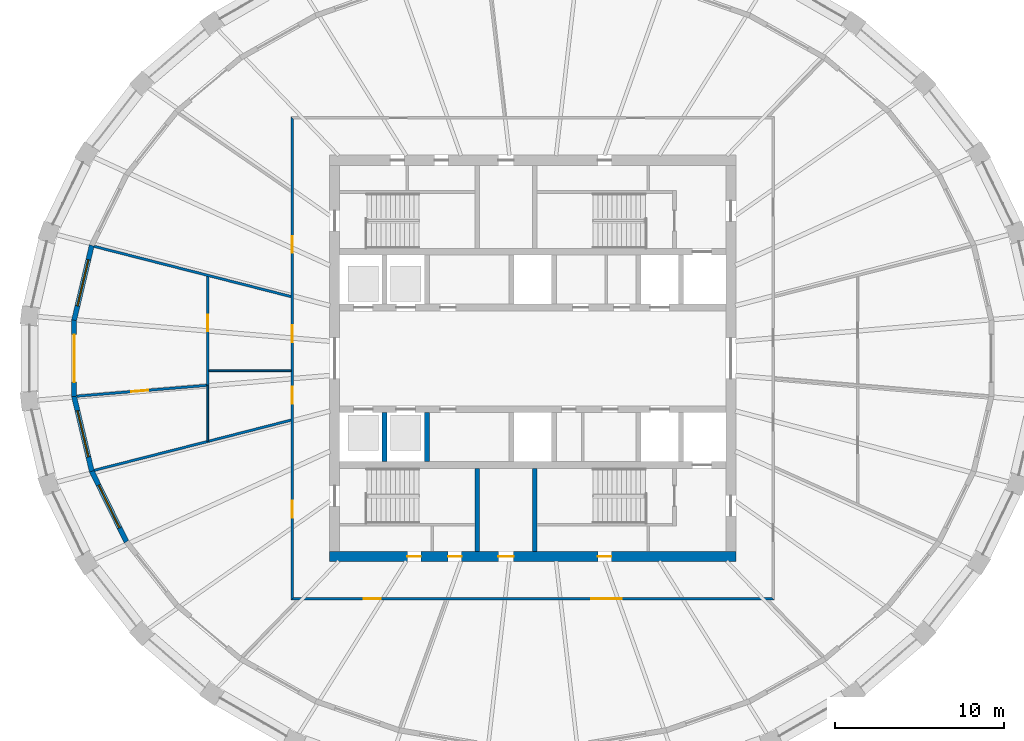
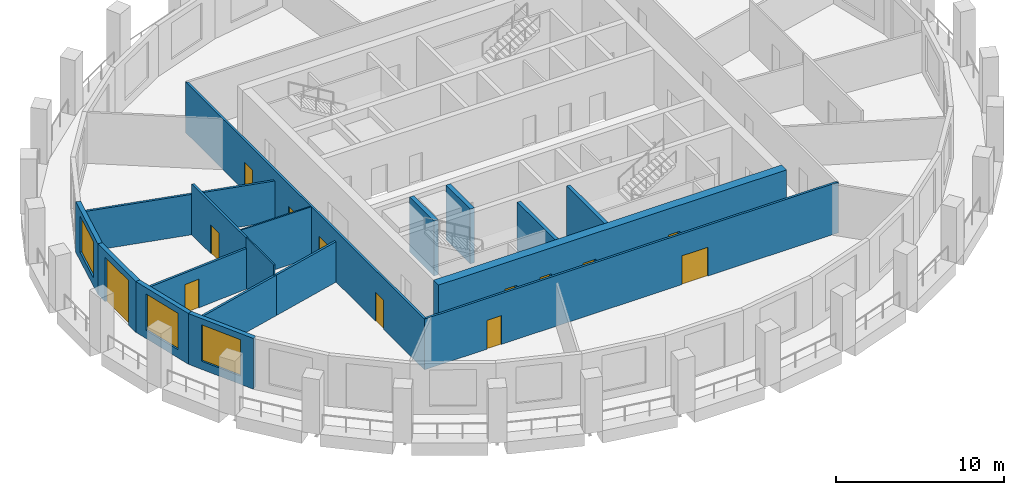
# One storey, part 3 of 10: 18 walls, 13 doors, 3 windows, 16 openings.
"""IFC4 building model written with IfcOpenShell, lengths in metres."""

from ifc_helpers import new_model, si_unit, direction, frame, frame_2d, origin, place, context, subcontext, project, spatial, polyline, rectangle, outline, extrude, material, layer, layer_set, type_object, element, fill, save


model = new_model("IFC4")

# Units and contexts
model_context = context("Model", 3, precision=1e-05, world=origin(), true_north=direction((0.0, 1.0)))
body_context = subcontext(model_context, "Body", "Model", "MODEL_VIEW")
ifc_project = project(units=[si_unit("LENGTHUNIT", "METRE"), si_unit("AREAUNIT", "SQUARE_METRE"), si_unit("VOLUMEUNIT", "CUBIC_METRE"), si_unit("PLANEANGLEUNIT", "RADIAN"), si_unit("MASSUNIT", "GRAM", prefix="KILO")], contexts=[model_context])

# Site, building, storey
site_placement = place(None, origin())
site = spatial("IfcSite", under=ifc_project, at=site_placement, CompositionType="ELEMENT")
building_placement = place(site_placement, origin())
building = spatial("IfcBuilding", under=site, at=building_placement, Name="Halqa Exchange Tower", CompositionType="ELEMENT")
storey_placement = place(building_placement, frame((0.0, 0.0, 272.300048828125)))
storey = spatial("IfcBuildingStorey", under=building, at=storey_placement, Name="L63", CompositionType="ELEMENT", Elevation=272.300048828125)

# Wall, opening, door
ifc_material_1 = material(Name="Gypsum board")
ifc_layer_1 = layer(ifc_material_1, 0.14990234375)
ifc_layer_set_1 = layer_set([ifc_layer_1], Name="Gypsum board")
wall_type_1 = type_object("IfcWallType", Name="Acoustic partition 150", PredefinedType="PARTITIONING", material=ifc_layer_set_1)
wall_1_placement = place(storey_placement, frame((-19.25634765625, -1.5947265625, 0.0), z_axis=(0.0, 0.0, 1.0), x_axis=(-0.996545321007, -0.083050726542, 0.0)))
wall_1 = element("IfcWall", 1, at=wall_1_placement, inside=storey, type_object=wall_type_1, Name="L63-PWL-005", PredefinedType="PARTITIONING", context=body_context, shape_type="SweptSolid", body=[
    extrude(outline(polyline([(7.701904296875, -0.074951171875), (7.701904296875, 0.043212890625), (7.697265625, 0.074951171875), (5.77294921875, 0.074951171875), (3.8486328125, 0.074951171875), (1.92431640625, 0.074951171875), (0.0, 0.074951171875), (0.0, -0.004638671875), (0.018310546875, -0.00634765625), (0.012451171875, -0.074951171875), (1.934814453125, -0.074951171875), (3.857177734375, -0.074951171875), (5.779541015625, -0.074951171875), (7.701904296875, -0.074951171875)])), origin(), (0.0, 0.0, 1.0), 2.947021484375),
])
opening_1_placement = place(wall_1_placement, frame((3.477294921875, 0.0, 0.0)))
opening_1 = element("IfcOpeningElement", 2, at=opening_1_placement, cuts=wall_1, Name="Opening 19-14", PredefinedType="OPENING", context=body_context, shape_type="SweptSolid", body=[
    extrude(rectangle(XDim=1.0, YDim=2.10009765625, at=frame_2d((0.5, 1.050048828125))), frame((0.0, 0.0869140625, 0.0), z_axis=(0.0, -1.0, 0.0), x_axis=(1.0, 0.0, 0.0)), (0.0, 0.0, 1.0), 0.173828125),
])
ifc_material_2 = material(Name="Timber door leaf", Category="wood")
door_type_1 = type_object("IfcDoorType", Name="Acoustic door 1000 x 2100", OperationType="SINGLE_SWING_LEFT", PredefinedType="DOOR", material=ifc_material_2)
door_1_placement = place(opening_1_placement, origin())
door_1 = element("IfcDoor", 3, at=door_1_placement, inside=storey, type_object=door_type_1, Name="L63-IDR-014", OperationType="SINGLE_SWING_LEFT", OverallHeight=2.10009765625, OverallWidth=1.0, PredefinedType="DOOR", context=body_context, shape_type="SweptSolid", body=[
    extrude(rectangle(XDim=1.0, YDim=2.10009765625, at=frame_2d((0.5, 1.050048828125))), frame((0.0, 0.02490234375, 0.0), z_axis=(0.0, -1.0, 0.0), x_axis=(1.0, 0.0, 0.0)), (0.0, 0.0, 1.0), 0.050048828125),
])
fill(opening_1, door_1)

wall_2_placement = place(storey_placement, frame((-19.199951171875, -1.590087890625, 0.0), z_axis=(0.0, 0.0, 1.0), x_axis=(0.0, 1.0, 0.0)))
wall_2 = element("IfcWall", 4, at=wall_2_placement, inside=storey, type_object=wall_type_1, Name="L63-PWL-006", PredefinedType="PARTITIONING", context=body_context, shape_type="SweptSolid", body=[
    extrude(outline(polyline([(0.0, -0.074951171875), (0.81005859375, -0.074951171875), (0.91015625, -0.074951171875), (2.739501953125, -0.074951171875), (4.569091796875, -0.074951171875), (6.398681640625, -0.074951171875), (6.4365234375, 0.07373046875), (6.4365234375, 0.074951171875), (4.8447265625, 0.074951171875), (3.252685546875, 0.074951171875), (1.660888671875, 0.074951171875), (0.069091796875, 0.074951171875), (0.070068359375, 0.0625), (0.0, 0.056640625), (0.0, 0.050048828125), (0.0, 0.050048828125), (0.0, -0.050048828125), (0.0, -0.050048828125), (0.0, -0.074951171875)])), origin(), (0.0, 0.0, 1.0), 3.699951171875),
])
opening_2_placement = place(wall_2_placement, frame((3.179931640625, 0.0, 0.0)))
opening_2 = element("IfcOpeningElement", 5, at=opening_2_placement, cuts=wall_2, Name="Opening 19-13", PredefinedType="OPENING", context=body_context, shape_type="SweptSolid", body=[
    extrude(rectangle(XDim=1.0, YDim=2.10009765625, at=frame_2d((0.5, 1.050048828125))), frame((0.0, 0.0869140625, 0.0), z_axis=(0.0, -1.0, 0.0), x_axis=(1.0, 0.0, 0.0)), (0.0, 0.0, 1.0), 0.173828125),
])
door_2_placement = place(opening_2_placement, frame((1.0, 0.0, 0.0), z_axis=(0.0, 0.0, 1.0), x_axis=(-1.0, 0.0, 0.0)))
door_2 = element("IfcDoor", 6, at=door_2_placement, inside=storey, type_object=door_type_1, Name="L63-IDR-013", OperationType="SINGLE_SWING_RIGHT", OverallHeight=2.10009765625, OverallWidth=1.0, PredefinedType="DOOR", context=body_context, shape_type="SweptSolid", body=[
    extrude(rectangle(XDim=1.0, YDim=2.10009765625, at=frame_2d((0.5, 1.050048828125))), frame((0.0, 0.02490234375, 0.0), z_axis=(0.0, -1.0, 0.0), x_axis=(1.0, 0.0, 0.0)), (0.0, 0.0, 1.0), 0.050048828125),
])
fill(opening_2, door_2)

# Walls
ifc_material_3 = material(Name="Fire-rated gypsum board")
ifc_layer_2 = layer(ifc_material_3, 0.14990234375)
ifc_layer_set_2 = layer_set([ifc_layer_2], Name="Fire-rated gypsum board")
wall_type_2 = type_object("IfcWallType", Name="Fire partition EI 60 150", PredefinedType="PARTITIONING", material=ifc_layer_set_2)
wall_3_placement = place(storey_placement, frame((-25.90234375, -6.6142578125, 0.0), z_axis=(0.0, 0.0, 1.0), x_axis=(0.969153959709, 0.246456086108, 0.0)))
element("IfcWall", 7, at=wall_3_placement, inside=storey, type_object=wall_type_2, Name="L63-PWL-001", PredefinedType="PARTITIONING", context=body_context, shape_type="SweptSolid", body=[
    extrude(outline(polyline([(0.01318359375, -0.074951171875), (1.75634765625, -0.074951171875), (3.49951171875, -0.074951171875), (5.24267578125, -0.074951171875), (6.98583984375, -0.074951171875), (6.985595703125, 0.07177734375), (6.966552734375, -0.002685546875), (6.86962890625, 0.02197265625), (6.883056640625, 0.074951171875), (5.162353515625, 0.074951171875), (3.441650390625, 0.074951171875), (1.720703125, 0.074951171875), (0.0, 0.074951171875), (0.0, -0.011962890625), (0.01318359375, -0.074951171875)])), origin(), (0.0, 0.0, 1.0), 2.947021484375),
])
wall_4_placement = place(storey_placement, frame((-25.90234375, 6.6142578125, 0.0), z_axis=(0.0, 0.0, 1.0), x_axis=(0.968990601513, -0.247097580277, 0.0)))
element("IfcWall", 8, at=wall_4_placement, inside=storey, type_object=wall_type_2, Name="L63-PWL-002", PredefinedType="PARTITIONING", context=body_context, shape_type="SweptSolid", body=[
    extrude(outline(polyline([(0.0, -0.074951171875), (1.751953125, -0.074951171875), (3.50390625, -0.074951171875), (5.255859375, -0.074951171875), (7.0078125, -0.074951171875), (7.012939453125, -0.07373046875), (7.013427734375, -0.074951171875), (8.681640625, -0.074951171875), (10.35009765625, -0.074951171875), (12.0185546875, -0.074951171875), (11.980224609375, 0.074951171875), (9.98583984375, 0.074951171875), (7.9912109375, 0.074951171875), (5.996826171875, 0.074951171875), (4.002197265625, 0.074951171875), (2.0078125, 0.074951171875), (0.01318359375, 0.074951171875), (0.0, 0.011962890625), (0.0, -0.074951171875)])), origin(), (0.0, 0.0, 1.0), 2.947021484375),
])
wall_5_placement = place(storey_placement, frame((-19.132080078125, -4.892578125, 0.0), z_axis=(0.0, 0.0, 1.0), x_axis=(0.968763144659, 0.247987841537, 0.0)))
element("IfcWall", 9, at=wall_5_placement, inside=storey, type_object=wall_type_2, Name="L63-PWL-003", PredefinedType="PARTITIONING", context=body_context, shape_type="SweptSolid", body=[
    extrude(outline(polyline([(0.0, -0.074951171875), (1.664794921875, -0.074951171875), (3.32958984375, -0.074951171875), (4.994384765625, -0.074951171875), (5.03271484375, 0.07421875), (5.03271484375, 0.074951171875), (3.35546875, 0.074951171875), (1.677978515625, 0.074951171875), (0.000732421875, 0.074951171875), (0.0, 0.072265625), (0.0, -0.074951171875)])), origin(), (0.0, 0.0, 1.0), 2.947021484375),
])

# Wall, openings, doors
wall_6_placement = place(storey_placement, frame((-14.199951171875, -14.27490234375, 0.0), z_axis=(0.0, 0.0, 1.0), x_axis=(0.0, 1.0, 0.0)))
wall_6 = element("IfcWall", 10, at=wall_6_placement, inside=storey, type_object=wall_type_2, Name="L63-PWL-008", PredefinedType="PARTITIONING", context=body_context, shape_type="SweptSolid", body=[
    extrude(outline(polyline([(0.14990234375, -0.074951171875), (2.033203125, -0.074951171875), (3.91650390625, -0.074951171875), (5.7998046875, -0.074951171875), (7.683349609375, -0.074951171875), (9.566650390625, -0.074951171875), (11.449951171875, -0.074951171875), (13.333251953125, -0.074951171875), (15.216552734375, -0.074951171875), (17.099853515625, -0.074951171875), (18.983154296875, -0.074951171875), (20.866455078125, -0.074951171875), (22.75, -0.074951171875), (24.63330078125, -0.074951171875), (26.5166015625, -0.074951171875), (28.39990234375, -0.074951171875), (28.5498046875, 0.074951171875), (28.5498046875, 0.074951171875), (26.646484375, 0.074951171875), (24.7431640625, 0.074951171875), (22.83984375, 0.074951171875), (20.9365234375, 0.074951171875), (19.033203125, 0.074951171875), (17.1298828125, 0.074951171875), (15.2265625, 0.074951171875), (13.3232421875, 0.074951171875), (11.419921875, 0.074951171875), (9.5166015625, 0.074951171875), (7.61328125, 0.074951171875), (5.7099609375, 0.074951171875), (3.806640625, 0.074951171875), (1.9033203125, 0.074951171875), (0.0, 0.074951171875), (0.14990234375, -0.074951171875)])), origin(), (0.0, 0.0, 1.0), 3.699951171875),
])
opening_3_placement = place(wall_6_placement, frame((20.5, 0.0, 0.0)))
opening_3 = element("IfcOpeningElement", 11, at=opening_3_placement, cuts=wall_6, Name="Opening 19-02", PredefinedType="OPENING", context=body_context, shape_type="SweptSolid", body=[
    extrude(rectangle(XDim=1.0, YDim=2.10009765625, at=frame_2d((0.5, 1.050048828125))), frame((0.0, 0.0869140625, 0.0), z_axis=(0.0, -1.0, 0.0), x_axis=(1.0, 0.0, 0.0)), (0.0, 0.0, 1.0), 0.173828125),
])
opening_4_placement = place(wall_6_placement, frame((11.594970703125, 0.0, 0.0)))
opening_4 = element("IfcOpeningElement", 12, at=opening_4_placement, cuts=wall_6, Name="Opening 19-03", PredefinedType="OPENING", context=body_context, shape_type="SweptSolid", body=[
    extrude(rectangle(XDim=1.0, YDim=2.10009765625, at=frame_2d((0.5, 1.050048828125))), frame((0.0, 0.0869140625, 0.0), z_axis=(0.0, -1.0, 0.0), x_axis=(1.0, 0.0, 0.0)), (0.0, 0.0, 1.0), 0.173828125),
])
opening_5_placement = place(wall_6_placement, frame((15.22509765625, 0.0, 0.0)))
opening_5 = element("IfcOpeningElement", 13, at=opening_5_placement, cuts=wall_6, Name="Opening 19-04", PredefinedType="OPENING", context=body_context, shape_type="SweptSolid", body=[
    extrude(rectangle(XDim=1.0, YDim=2.10009765625, at=frame_2d((0.5, 1.050048828125))), frame((0.0, 0.0869140625, 0.0), z_axis=(0.0, -1.0, 0.0), x_axis=(1.0, 0.0, 0.0)), (0.0, 0.0, 1.0), 0.173828125),
])
opening_6_placement = place(wall_6_placement, frame((4.860107421875, 0.0, 0.0)))
opening_6 = element("IfcOpeningElement", 14, at=opening_6_placement, cuts=wall_6, Name="Opening 19-05", PredefinedType="OPENING", context=body_context, shape_type="SweptSolid", body=[
    extrude(rectangle(XDim=1.0, YDim=2.10009765625, at=frame_2d((0.5, 1.050048828125))), frame((0.0, 0.0869140625, 0.0), z_axis=(0.0, -1.0, 0.0), x_axis=(1.0, 0.0, 0.0)), (0.0, 0.0, 1.0), 0.173828125),
])
ifc_material_4 = material(Name="Steel fire door leaf", Category="steel")
door_type_2 = type_object("IfcDoorType", Name="Fire door FD30S 1000 x 2100", OperationType="SINGLE_SWING_LEFT", PredefinedType="DOOR", material=ifc_material_4)
door_3_placement = place(opening_3_placement, origin())
door_3 = element("IfcDoor", 15, at=door_3_placement, inside=storey, type_object=door_type_2, Name="L63-IDR-002", OperationType="SINGLE_SWING_RIGHT", OverallHeight=2.10009765625, OverallWidth=1.0, PredefinedType="DOOR", context=body_context, shape_type="SweptSolid", body=[
    extrude(rectangle(XDim=1.0, YDim=2.10009765625, at=frame_2d((0.5, 1.050048828125))), frame((0.0, 0.02490234375, 0.0), z_axis=(0.0, -1.0, 0.0), x_axis=(1.0, 0.0, 0.0)), (0.0, 0.0, 1.0), 0.050048828125),
])
fill(opening_3, door_3)
door_4_placement = place(opening_4_placement, origin())
door_4 = element("IfcDoor", 16, at=door_4_placement, inside=storey, type_object=door_type_2, Name="L63-IDR-003", OperationType="SINGLE_SWING_RIGHT", OverallHeight=2.10009765625, OverallWidth=1.0, PredefinedType="DOOR", context=body_context, shape_type="SweptSolid", body=[
    extrude(rectangle(XDim=1.0, YDim=2.10009765625, at=frame_2d((0.5, 1.050048828125))), frame((0.0, 0.02490234375, 0.0), z_axis=(0.0, -1.0, 0.0), x_axis=(1.0, 0.0, 0.0)), (0.0, 0.0, 1.0), 0.050048828125),
])
fill(opening_4, door_4)
door_5_placement = place(opening_5_placement, origin())
door_5 = element("IfcDoor", 17, at=door_5_placement, inside=storey, type_object=door_type_2, Name="L63-IDR-004", OperationType="SINGLE_SWING_LEFT", OverallHeight=2.10009765625, OverallWidth=1.0, PredefinedType="DOOR", context=body_context, shape_type="SweptSolid", body=[
    extrude(rectangle(XDim=1.0, YDim=2.10009765625, at=frame_2d((0.5, 1.050048828125))), frame((0.0, 0.02490234375, 0.0), z_axis=(0.0, -1.0, 0.0), x_axis=(1.0, 0.0, 0.0)), (0.0, 0.0, 1.0), 0.050048828125),
])
fill(opening_5, door_5)
door_6_placement = place(opening_6_placement, origin())
door_6 = element("IfcDoor", 18, at=door_6_placement, inside=storey, type_object=door_type_2, Name="L63-IDR-005", OperationType="SINGLE_SWING_LEFT", OverallHeight=2.10009765625, OverallWidth=1.0, PredefinedType="DOOR", context=body_context, shape_type="SweptSolid", body=[
    extrude(rectangle(XDim=1.0, YDim=2.10009765625, at=frame_2d((0.5, 1.050048828125))), frame((0.0, 0.02490234375, 0.0), z_axis=(0.0, -1.0, 0.0), x_axis=(1.0, 0.0, 0.0)), (0.0, 0.0, 1.0), 0.050048828125),
])
fill(opening_6, door_6)

wall_7_placement = place(storey_placement, frame((-14.27490234375, -14.199951171875, 0.0), z_axis=(0.0, 0.0, 1.0), x_axis=(1.0, 0.0, 0.0)))
wall_7 = element("IfcWall", 19, at=wall_7_placement, inside=storey, type_object=wall_type_2, Name="L63-PWL-009", PredefinedType="PARTITIONING", context=body_context, shape_type="SweptSolid", body=[
    extrude(outline(polyline([(28.5498046875, -0.074951171875), (28.5498046875, -0.074951171875), (28.39990234375, 0.074951171875), (26.5166015625, 0.074951171875), (24.63330078125, 0.074951171875), (22.75, 0.074951171875), (20.866455078125, 0.074951171875), (18.983154296875, 0.074951171875), (17.099853515625, 0.074951171875), (15.216552734375, 0.074951171875), (13.333251953125, 0.074951171875), (11.449951171875, 0.074951171875), (9.566650390625, 0.074951171875), (7.683349609375, 0.074951171875), (5.7998046875, 0.074951171875), (3.91650390625, 0.074951171875), (2.033203125, 0.074951171875), (0.14990234375, 0.074951171875), (0.0, -0.074951171875), (1.9033203125, -0.074951171875), (3.806640625, -0.074951171875), (5.7099609375, -0.074951171875), (7.61328125, -0.074951171875), (9.5166015625, -0.074951171875), (11.419921875, -0.074951171875), (13.3232421875, -0.074951171875), (15.2265625, -0.074951171875), (17.1298828125, -0.074951171875), (19.033203125, -0.074951171875), (20.9365234375, -0.074951171875), (22.83984375, -0.074951171875), (24.7431640625, -0.074951171875), (26.646484375, -0.074951171875), (28.5498046875, -0.074951171875)])), origin(), (0.0, 0.0, 1.0), 3.699951171875),
])
opening_7_placement = place(wall_7_placement, frame((4.304931640625, 0.0, 0.0)))
opening_7 = element("IfcOpeningElement", 20, at=opening_7_placement, cuts=wall_7, Name="Opening 19-06", PredefinedType="OPENING", context=body_context, shape_type="SweptSolid", body=[
    extrude(rectangle(XDim=1.0, YDim=2.10009765625, at=frame_2d((0.5, 1.050048828125))), frame((0.0, 0.0869140625, 0.0), z_axis=(0.0, -1.0, 0.0), x_axis=(1.0, 0.0, 0.0)), (0.0, 0.0, 1.0), 0.173828125),
])
opening_8_placement = place(wall_7_placement, frame((17.735107421875, 0.0, 0.0)))
opening_8 = element("IfcOpeningElement", 21, at=opening_8_placement, cuts=wall_7, Name="Opening 19-07", PredefinedType="OPENING", context=body_context, shape_type="SweptSolid", body=[
    extrude(rectangle(XDim=1.800048828125, YDim=2.10009765625, at=frame_2d((0.89990234375, 1.050048828125))), frame((0.0, 0.0869140625, 0.0), z_axis=(0.0, -1.0, 0.0), x_axis=(1.0, 0.0, 0.0)), (0.0, 0.0, 1.0), 0.173828125),
])
door_7_placement = place(opening_7_placement, frame((1.0, 0.0, 0.0), z_axis=(0.0, 0.0, 1.0), x_axis=(-1.0, 0.0, 0.0)))
door_7 = element("IfcDoor", 22, at=door_7_placement, inside=storey, type_object=door_type_2, Name="L63-IDR-006", OperationType="SINGLE_SWING_RIGHT", OverallHeight=2.10009765625, OverallWidth=1.0, PredefinedType="DOOR", context=body_context, shape_type="SweptSolid", body=[
    extrude(rectangle(XDim=1.0, YDim=2.10009765625, at=frame_2d((0.5, 1.050048828125))), frame((0.0, 0.02490234375, 0.0), z_axis=(0.0, -1.0, 0.0), x_axis=(1.0, 0.0, 0.0)), (0.0, 0.0, 1.0), 0.050048828125),
])
fill(opening_7, door_7)
door_type_3 = type_object("IfcDoorType", Name="Fire door FD30S double 1800 x 2100", OperationType="DOUBLE_DOOR_SINGLE_SWING", PredefinedType="DOOR", material=ifc_material_4)
door_8_placement = place(opening_8_placement, frame((1.800048828125, 0.0, 0.0), z_axis=(0.0, 0.0, 1.0), x_axis=(-1.0, 0.0, 0.0)))
door_8 = element("IfcDoor", 23, at=door_8_placement, inside=storey, type_object=door_type_3, Name="L63-IDR-007", OperationType="DOUBLE_DOOR_SINGLE_SWING", OverallHeight=2.10009765625, OverallWidth=1.800048828125, PredefinedType="DOOR", context=body_context, shape_type="SweptSolid", body=[
    extrude(rectangle(XDim=1.800048828125, YDim=2.10009765625, at=frame_2d((0.89990234375, 1.050048828125))), frame((0.0, 0.02490234375, 0.0), z_axis=(0.0, -1.0, 0.0), x_axis=(1.0, 0.0, 0.0)), (0.0, 0.0, 1.0), 0.050048828125),
])
fill(opening_8, door_8)

# Walls
ifc_layer_3 = layer(ifc_material_1, 0.10009765625)
ifc_layer_set_3 = layer_set([ifc_layer_3], Name="Gypsum board")
wall_type_3 = type_object("IfcWallType", Name="Partition 100 gypsum", PredefinedType="PARTITIONING", material=ifc_layer_set_3)
wall_8_placement = place(storey_placement, frame((-19.199951171875, -4.89990234375, 0.0), z_axis=(0.0, 0.0, 1.0), x_axis=(0.0, 1.0, 0.0)))
element("IfcWall", 24, at=wall_8_placement, inside=storey, type_object=wall_type_3, Name="L63-PWL-004", PredefinedType="PARTITIONING", context=body_context, shape_type="SweptSolid", body=[
    extrude(rectangle(XDim=3.309814453125, YDim=0.10009765625, at=frame_2d((1.65478515625, 0.0))), origin(), (0.0, 0.0, 1.0), 3.699951171875),
])
wall_9_placement = place(storey_placement, frame((-19.125, -0.72998046875, 0.0), z_axis=(0.0, 0.0, 1.0), x_axis=(1.0, 0.0, 0.0)))
element("IfcWall", 25, at=wall_9_placement, inside=storey, type_object=wall_type_3, Name="L63-PWL-007", PredefinedType="PARTITIONING", context=body_context, shape_type="SweptSolid", body=[
    extrude(rectangle(XDim=4.85009765625, YDim=0.10009765625, at=frame_2d((2.425048828125, 0.0))), origin(), (0.0, 0.0, 1.0), 3.699951171875),
])
ifc_material_5 = material(Name="Concrete C60/75", Category="concrete")
ifc_layer_4 = layer(ifc_material_5, 0.300048828125)
ifc_layer_set_4 = layer_set([ifc_layer_4], Name="Concrete C60/75")
wall_type_4 = type_object("IfcWallType", Name="RC core wall 300", PredefinedType="SHEAR", material=ifc_layer_set_4)
for number, where, z_axis, x_axis, name in (
    (26, (-8.75, -6.10009765625, 0.0), (0.0, 0.0, 1.0), (0.0, 1.0, 0.0), "Shaft divider S1"),
    (27, (-6.25, -6.10009765625, 0.0), (0.0, 0.0, 1.0), (0.0, 1.0, 0.0), "Shaft divider S2"),
):
    element("IfcWall", number, at=place(storey_placement, frame(where, z_axis=z_axis, x_axis=x_axis)), inside=storey, type_object=wall_type_4, Name=name, PredefinedType="SHEAR", context=body_context, shape_type="SweptSolid", body=[
        extrude(rectangle(XDim=2.900146484375, YDim=0.300048828125, at=frame_2d((1.4501953125, 0.0))), origin(), (0.0, 0.0, 1.0), 4.0),
    ])

# Wall, openings, doors
ifc_layer_5 = layer(ifc_material_5, 0.60009765625)
ifc_layer_set_5 = layer_set([ifc_layer_5], Name="Concrete C60/75")
wall_type_5 = type_object("IfcWallType", Name="RC core wall 600 C60/75", PredefinedType="SHEAR", material=ifc_layer_set_5)
wall_10_placement = place(storey_placement, frame((-12.0, -11.699951171875, 0.0), z_axis=(0.0, 0.0, 1.0), x_axis=(1.0, 0.0, 0.0)))
wall_10 = element("IfcWall", 28, at=wall_10_placement, inside=storey, type_object=wall_type_5, Name="Core wall south", PredefinedType="SHEAR", context=body_context, shape_type="SweptSolid", body=[
    extrude(rectangle(XDim=24.0, YDim=0.60009765625, at=frame_2d((12.0, 0.0))), origin(), (0.0, 0.0, 1.0), 4.0),
])
opening_9_placement = place(wall_10_placement, frame((9.97509765625, 0.0, 0.0)))
opening_9 = element("IfcOpeningElement", 29, at=opening_9_placement, cuts=wall_10, Name="Opening T19-C21", PredefinedType="OPENING", context=body_context, shape_type="SweptSolid", body=[
    extrude(rectangle(XDim=0.89990234375, YDim=2.10009765625, at=frame_2d((0.449951171875, 1.050048828125))), frame((0.0, 0.31201171875, 0.0), z_axis=(0.0, -1.0, 0.0), x_axis=(1.0, 0.0, 0.0)), (0.0, 0.0, 1.0), 0.6240234375),
])
opening_10_placement = place(wall_10_placement, frame((4.60009765625, 0.0, 0.0)))
opening_10 = element("IfcOpeningElement", 30, at=opening_10_placement, cuts=wall_10, Name="Opening T19-C22", PredefinedType="OPENING", context=body_context, shape_type="SweptSolid", body=[
    extrude(rectangle(XDim=0.800048828125, YDim=2.10009765625, at=frame_2d((0.39990234375, 1.050048828125))), frame((0.0, 0.31201171875, 0.0), z_axis=(0.0, -1.0, 0.0), x_axis=(1.0, 0.0, 0.0)), (0.0, 0.0, 1.0), 0.6240234375),
])
opening_11_placement = place(wall_10_placement, frame((7.0, 0.0, 0.0)))
opening_11 = element("IfcOpeningElement", 31, at=opening_11_placement, cuts=wall_10, Name="Opening T19-C23", PredefinedType="OPENING", context=body_context, shape_type="SweptSolid", body=[
    extrude(rectangle(XDim=0.800048828125, YDim=2.10009765625, at=frame_2d((0.39990234375, 1.050048828125))), frame((0.0, 0.31201171875, 0.0), z_axis=(0.0, -1.0, 0.0), x_axis=(1.0, 0.0, 0.0)), (0.0, 0.0, 1.0), 0.6240234375),
])
opening_12_placement = place(wall_10_placement, frame((15.85009765625, 0.0, 0.0)))
opening_12 = element("IfcOpeningElement", 32, at=opening_12_placement, cuts=wall_10, Name="Opening T19-C24", PredefinedType="OPENING", context=body_context, shape_type="SweptSolid", body=[
    extrude(rectangle(XDim=0.800048828125, YDim=2.10009765625, at=frame_2d((0.39990234375, 1.050048828125))), frame((0.0, 0.31201171875, 0.0), z_axis=(0.0, -1.0, 0.0), x_axis=(1.0, 0.0, 0.0)), (0.0, 0.0, 1.0), 0.6240234375),
])
ifc_material_6 = material(Name="Timber fire door leaf", Category="wood")
door_type_4 = type_object("IfcDoorType", Name="Core room door FD30 900 x 2100", OperationType="SINGLE_SWING_LEFT", PredefinedType="DOOR", material=ifc_material_6)
door_9_placement = place(opening_9_placement, origin())
door_9 = element("IfcDoor", 33, at=door_9_placement, inside=storey, type_object=door_type_4, Name="Core room door", OperationType="SINGLE_SWING_RIGHT", OverallHeight=2.10009765625, OverallWidth=0.89990234375, PredefinedType="DOOR", context=body_context, shape_type="SweptSolid", body=[
    extrude(rectangle(XDim=0.89990234375, YDim=2.10009765625, at=frame_2d((0.449951171875, 1.050048828125))), frame((0.0, 0.02490234375, 0.0), z_axis=(0.0, -1.0, 0.0), x_axis=(1.0, 0.0, 0.0)), (0.0, 0.0, 1.0), 0.050048828125),
])
fill(opening_9, door_9)
door_type_5 = type_object("IfcDoorType", Name="Riser door FD60 800 x 2100", OperationType="SINGLE_SWING_LEFT", PredefinedType="DOOR", material=ifc_material_4)
door_10_placement = place(opening_10_placement, origin())
door_10 = element("IfcDoor", 34, at=door_10_placement, inside=storey, type_object=door_type_5, Name="Core room door", OperationType="SINGLE_SWING_LEFT", OverallHeight=2.10009765625, OverallWidth=0.800048828125, PredefinedType="DOOR", context=body_context, shape_type="SweptSolid", body=[
    extrude(rectangle(XDim=0.800048828125, YDim=2.10009765625, at=frame_2d((0.39990234375, 1.050048828125))), frame((0.0, 0.02490234375, 0.0), z_axis=(0.0, -1.0, 0.0), x_axis=(1.0, 0.0, 0.0)), (0.0, 0.0, 1.0), 0.050048828125),
])
fill(opening_10, door_10)
door_11_placement = place(opening_11_placement, origin())
door_11 = element("IfcDoor", 35, at=door_11_placement, inside=storey, type_object=door_type_5, Name="Core room door", OperationType="SINGLE_SWING_RIGHT", OverallHeight=2.10009765625, OverallWidth=0.800048828125, PredefinedType="DOOR", context=body_context, shape_type="SweptSolid", body=[
    extrude(rectangle(XDim=0.800048828125, YDim=2.10009765625, at=frame_2d((0.39990234375, 1.050048828125))), frame((0.0, 0.02490234375, 0.0), z_axis=(0.0, -1.0, 0.0), x_axis=(1.0, 0.0, 0.0)), (0.0, 0.0, 1.0), 0.050048828125),
])
fill(opening_11, door_11)
door_12_placement = place(opening_12_placement, origin())
door_12 = element("IfcDoor", 36, at=door_12_placement, inside=storey, type_object=door_type_5, Name="Core room door", OperationType="SINGLE_SWING_LEFT", OverallHeight=2.10009765625, OverallWidth=0.800048828125, PredefinedType="DOOR", context=body_context, shape_type="SweptSolid", body=[
    extrude(rectangle(XDim=0.800048828125, YDim=2.10009765625, at=frame_2d((0.39990234375, 1.050048828125))), frame((0.0, 0.02490234375, 0.0), z_axis=(0.0, -1.0, 0.0), x_axis=(1.0, 0.0, 0.0)), (0.0, 0.0, 1.0), 0.050048828125),
])
fill(opening_12, door_12)

# Walls
ifc_material_7 = material(Name="Concrete C30/37", Category="concrete")
ifc_layer_6 = layer(ifc_material_7, 0.25)
ifc_layer_set_6 = layer_set([ifc_layer_6], Name="Concrete C30/37")
wall_type_6 = type_object("IfcWallType", Name="RC stair wall 250 C30/37", PredefinedType="SHEAR", material=ifc_layer_set_6)
for number, where, z_axis, x_axis, name in (
    (37, (-3.27490234375, -11.39990234375, 0.0), (0.0, 0.0, 1.0), (0.0, 1.0, 0.0), "Stair ST1 east wall S"),
    (38, (0.125, -11.39990234375, 0.0), (0.0, 0.0, 1.0), (0.0, 1.0, 0.0), "Stair ST2 west wall S"),
):
    element("IfcWall", number, at=place(storey_placement, frame(where, z_axis=z_axis, x_axis=x_axis)), inside=storey, type_object=wall_type_6, Name=name, PredefinedType="SHEAR", context=body_context, shape_type="SweptSolid", body=[
        extrude(rectangle(XDim=4.89990234375, YDim=0.25, at=frame_2d((2.449951171875, 0.0))), origin(), (0.0, 0.0, 1.0), 3.699951171875),
    ])

# Wall, opening, window
ifc_material_8 = material(Name="Limestone cladding", Category="masonry")
ifc_layer_7 = layer(ifc_material_8, 0.0400390625)
ifc_material_9 = material(Name="Ventilated cavity")
ifc_layer_8 = layer(ifc_material_9, 0.030029296875, ventilated=True)
ifc_material_10 = material(Name="Mineral wool insulation")
ifc_layer_9 = layer(ifc_material_10, 0.10009765625)
ifc_layer_10 = layer(ifc_material_7, 0.10009765625)
ifc_material_11 = material(Name="Internal plaster")
ifc_layer_11 = layer(ifc_material_11, 0.030029296875)
ifc_layer_set_7 = layer_set([ifc_layer_7, ifc_layer_8, ifc_layer_9, ifc_layer_10, ifc_layer_11], Name="Stone-faced insulated wall 300")
wall_type_7 = type_object("IfcWallType", Name="Stone-faced insulated wall 300", PredefinedType="STANDARD", material=ifc_layer_set_7)
wall_11_placement = place(storey_placement, frame((-26.044921875, 6.669921875, 0.0), z_axis=(0.0, 0.0, 1.0), x_axis=(-0.22983372436, -0.973229910734, 0.0)))
wall_11 = element("IfcWall", 39, at=wall_11_placement, inside=storey, type_object=wall_type_7, Name="Glass-line wall 15", PredefinedType="STANDARD", context=body_context, shape_type="SweptSolid", body=[
    extrude(outline(polyline([(-0.016845703125, -0.14990234375), (4.556640625, -0.14990234375), (4.521484375, 0.14990234375), (0.016845703125, 0.14990234375), (-0.016845703125, -0.14990234375)])), origin(), (0.0, 0.0, 1.0), 3.699951171875),
])
opening_13_placement = place(wall_11_placement, frame((0.869384765625, 0.0, 0.60009765625)))
opening_13 = element("IfcOpeningElement", 40, at=opening_13_placement, cuts=wall_11, Name="Opening W-F4-15", PredefinedType="OPENING", context=body_context, shape_type="SweptSolid", body=[
    extrude(rectangle(XDim=2.800048828125, YDim=2.64990234375, at=frame_2d((1.39990234375, 1.324951171875))), frame((0.0, 0.162109375, 0.0), z_axis=(0.0, -1.0, 0.0), x_axis=(1.0, 0.0, 0.0)), (0.0, 0.0, 1.0), 0.323974609375),
])
ifc_material_12 = material(Name="Clear low-emissivity glass in aluminium frame", Category="aluminium")
window_type = type_object("IfcWindowType", Name="Fixed clear glazed window 2800 x 2650", PartitioningType="DOUBLE_PANEL_VERTICAL", PredefinedType="WINDOW", material=ifc_material_12)
window_1_placement = place(opening_13_placement, origin())
window_1 = element("IfcWindow", 41, at=window_1_placement, inside=storey, type_object=window_type, Name="Window 4", OverallHeight=2.64990234375, OverallWidth=2.800048828125, PartitioningType="DOUBLE_PANEL_VERTICAL", PredefinedType="WINDOW", context=body_context, shape_type="SweptSolid", body=[
    extrude(rectangle(XDim=2.800048828125, YDim=2.64990234375, at=frame_2d((1.39990234375, 1.324951171875))), frame((0.0, 0.030029296875, 0.0), z_axis=(0.0, -1.0, 0.0), x_axis=(1.0, 0.0, 0.0)), (0.0, 0.0, 1.0), 0.06005859375),
])
fill(opening_13, window_1)

# Wall, opening, door
wall_12_placement = place(storey_placement, frame((-27.088134765625, 2.25244140625, 0.0), z_axis=(0.0, 0.0, 1.0), x_axis=(0.0, -1.0, 0.0)))
wall_12 = element("IfcWall", 42, at=wall_12_placement, inside=storey, type_object=wall_type_7, Name="Glass-line wall 16", PredefinedType="STANDARD", context=body_context, shape_type="SweptSolid", body=[
    extrude(outline(polyline([(-0.017578125, -0.14990234375), (4.5224609375, -0.14990234375), (4.4873046875, 0.14990234375), (0.017578125, 0.14990234375), (-0.017578125, -0.14990234375)])), origin(), (0.0, 0.0, 1.0), 3.699951171875),
])
opening_14_placement = place(wall_12_placement, frame((0.852294921875, 0.0, 0.0)))
opening_14 = element("IfcOpeningElement", 43, at=opening_14_placement, cuts=wall_12, Name="Opening LG-F4-04", PredefinedType="OPENING", context=body_context, shape_type="SweptSolid", body=[
    extrude(rectangle(XDim=2.800048828125, YDim=3.25, at=frame_2d((1.39990234375, 1.625))), frame((0.0, 0.162109375, 0.0), z_axis=(0.0, -1.0, 0.0), x_axis=(1.0, 0.0, 0.0)), (0.0, 0.0, 1.0), 0.323974609375),
])
door_type_6 = type_object("IfcDoorType", Name="Glazed sliding loggia door 2800 x 3250", OperationType="DOUBLE_DOOR_SLIDING", PredefinedType="DOOR", material=ifc_material_12)
door_13_placement = place(opening_14_placement, origin())
door_13 = element("IfcDoor", 44, at=door_13_placement, inside=storey, type_object=door_type_6, Name="Loggia door 4", OperationType="DOUBLE_DOOR_SLIDING", OverallHeight=3.25, OverallWidth=2.800048828125, PredefinedType="DOOR", context=body_context, shape_type="SweptSolid", body=[
    extrude(rectangle(XDim=2.800048828125, YDim=3.25, at=frame_2d((1.39990234375, 1.625))), frame((0.0, 0.02490234375, 0.0), z_axis=(0.0, -1.0, 0.0), x_axis=(1.0, 0.0, 0.0)), (0.0, 0.0, 1.0), 0.050048828125),
])
fill(opening_14, door_13)

# Wall, opening, window
wall_13_placement = place(storey_placement, frame((-27.088134765625, -2.25244140625, 0.0), z_axis=(0.0, 0.0, 1.0), x_axis=(0.22983372436, -0.973229910734, 0.0)))
wall_13 = element("IfcWall", 45, at=wall_13_placement, inside=storey, type_object=wall_type_7, Name="Glass-line wall 17", PredefinedType="STANDARD", context=body_context, shape_type="SweptSolid", body=[
    extrude(outline(polyline([(-0.017578125, -0.14990234375), (4.555908203125, -0.14990234375), (4.522216796875, 0.14990234375), (0.017578125, 0.14990234375), (-0.017578125, -0.14990234375)])), origin(), (0.0, 0.0, 1.0), 3.699951171875),
])
opening_15_placement = place(wall_13_placement, frame((0.869384765625, 0.0, 0.60009765625)))
opening_15 = element("IfcOpeningElement", 46, at=opening_15_placement, cuts=wall_13, Name="Opening W-F4-17", PredefinedType="OPENING", context=body_context, shape_type="SweptSolid", body=[
    extrude(rectangle(XDim=2.800048828125, YDim=2.64990234375, at=frame_2d((1.39990234375, 1.324951171875))), frame((0.0, 0.162109375, 0.0), z_axis=(0.0, -1.0, 0.0), x_axis=(1.0, 0.0, 0.0)), (0.0, 0.0, 1.0), 0.323974609375),
])
window_2_placement = place(opening_15_placement, origin())
window_2 = element("IfcWindow", 47, at=window_2_placement, inside=storey, type_object=window_type, Name="Window 4", OverallHeight=2.64990234375, OverallWidth=2.800048828125, PartitioningType="DOUBLE_PANEL_VERTICAL", PredefinedType="WINDOW", context=body_context, shape_type="SweptSolid", body=[
    extrude(rectangle(XDim=2.800048828125, YDim=2.64990234375, at=frame_2d((1.39990234375, 1.324951171875))), frame((0.0, 0.030029296875, 0.0), z_axis=(0.0, -1.0, 0.0), x_axis=(1.0, 0.0, 0.0)), (0.0, 0.0, 1.0), 0.06005859375),
])
fill(opening_15, window_2)

wall_14_placement = place(storey_placement, frame((-26.044921875, -6.669921875, 0.0), z_axis=(0.0, 0.0, 1.0), x_axis=(0.441261940724, -0.897378348117, 0.0)))
wall_14 = element("IfcWall", 48, at=wall_14_placement, inside=storey, type_object=wall_type_7, Name="Glass-line wall 18", PredefinedType="STANDARD", context=body_context, shape_type="SweptSolid", body=[
    extrude(outline(polyline([(-0.016845703125, -0.14990234375), (4.65087890625, -0.14990234375), (4.61865234375, 0.14990234375), (0.016845703125, 0.14990234375), (-0.016845703125, -0.14990234375)])), origin(), (0.0, 0.0, 1.0), 3.699951171875),
])
opening_16_placement = place(wall_14_placement, frame((0.91748046875, 0.0, 0.60009765625)))
opening_16 = element("IfcOpeningElement", 49, at=opening_16_placement, cuts=wall_14, Name="Opening W-F4-18", PredefinedType="OPENING", context=body_context, shape_type="SweptSolid", body=[
    extrude(rectangle(XDim=2.800048828125, YDim=2.64990234375, at=frame_2d((1.39990234375, 1.324951171875))), frame((0.0, 0.162109375, 0.0), z_axis=(0.0, -1.0, 0.0), x_axis=(1.0, 0.0, 0.0)), (0.0, 0.0, 1.0), 0.323974609375),
])
window_3_placement = place(opening_16_placement, origin())
window_3 = element("IfcWindow", 50, at=window_3_placement, inside=storey, type_object=window_type, Name="Window 4", OverallHeight=2.64990234375, OverallWidth=2.800048828125, PartitioningType="DOUBLE_PANEL_VERTICAL", PredefinedType="WINDOW", context=body_context, shape_type="SweptSolid", body=[
    extrude(rectangle(XDim=2.800048828125, YDim=2.64990234375, at=frame_2d((1.39990234375, 1.324951171875))), frame((0.0, 0.030029296875, 0.0), z_axis=(0.0, -1.0, 0.0), x_axis=(1.0, 0.0, 0.0)), (0.0, 0.0, 1.0), 0.06005859375),
])
fill(opening_16, window_3)

save(model, "model.ifc")
